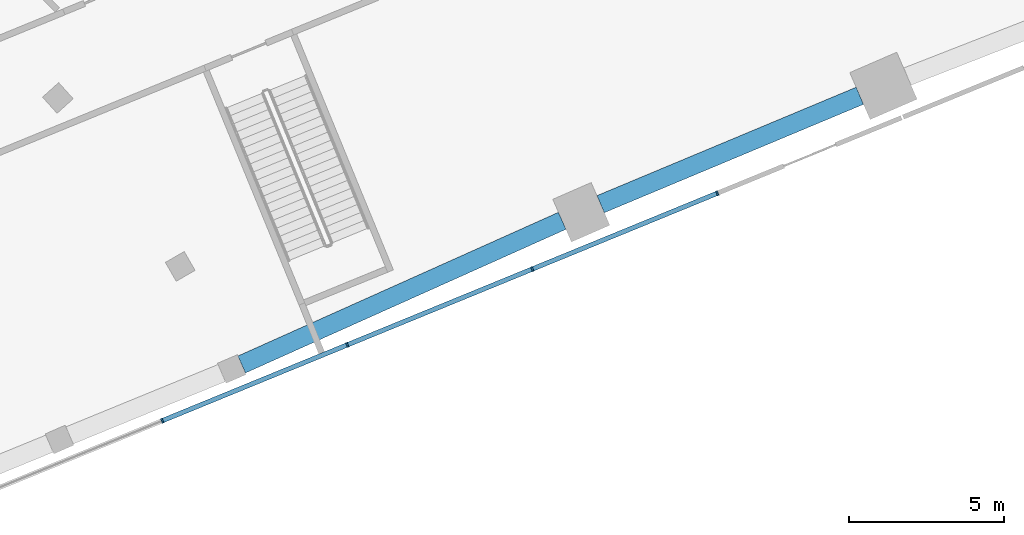
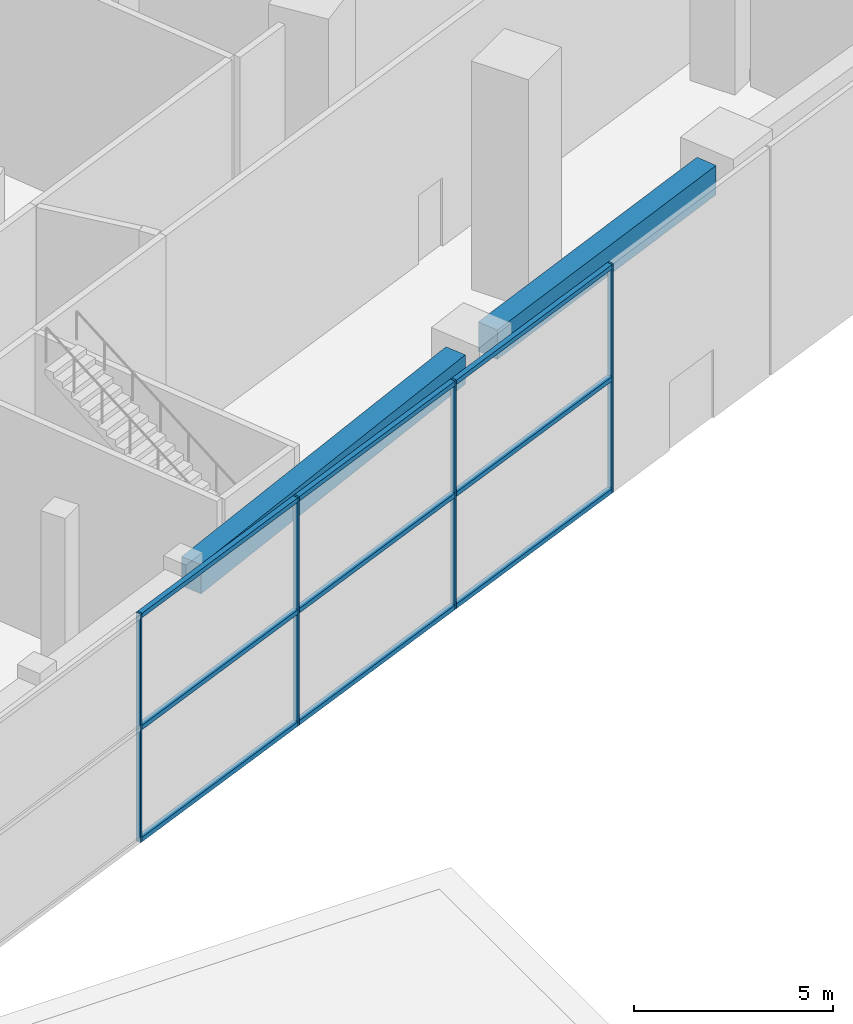
# One storey, part 14 of 60: 13 members, 2 beams, 1 element without a shape of its own.
"""IFC4 building model written with IfcOpenShell, lengths in metres."""

from ifc_helpers import new_model, si_unit, direction, frame, origin, origin_2d, place, context, subcontext, project, spatial, rectangle, extrude, material, layer, layer_set, material_profile, profile_set, type_object, element, aggregate, save


model = new_model("IFC4")

# Units and contexts
model_context = context("Model", 3, precision=1e-05, world=origin(), true_north=direction((0.0, 1.0)))
body_context = subcontext(model_context, "Body", "Model", "MODEL_VIEW")
ifc_project = project(units=[si_unit("LENGTHUNIT", "METRE"), si_unit("AREAUNIT", "SQUARE_METRE"), si_unit("VOLUMEUNIT", "CUBIC_METRE"), si_unit("PLANEANGLEUNIT", "RADIAN"), si_unit("MASSUNIT", "GRAM", prefix="KILO")], contexts=[model_context])

# Site, building, storey
site_placement = place(None, origin())
site = spatial("IfcSite", under=ifc_project, at=site_placement, CompositionType="ELEMENT")
building_placement = place(site_placement, origin())
building = spatial("IfcBuilding", under=site, at=building_placement, Name="Stone Belt Terrace Tower", CompositionType="ELEMENT")
storey_placement = place(building_placement, origin())
storey = spatial("IfcBuildingStorey", under=building, at=storey_placement, Name="L00", CompositionType="ELEMENT", Elevation=0.0)

# Curtain wall, members
ifc_material_1 = material(Name="Aluminium 6063-T6 anodised frame", Category="aluminium")
ifc_layer = layer(ifc_material_1, 0.14990234375)
ifc_layer_set = layer_set([ifc_layer], Name="CW-D podium shopfront")
curtain_wall_type = type_object("IfcCurtainWallType", Name="CW-D podium shopfront", PredefinedType="NOTDEFINED", material=ifc_layer_set)
curtain_wall_placement = place(storey_placement, origin())
curtain_wall = element("IfcCurtainWall", 1, at=curtain_wall_placement, inside=storey, type_object=curtain_wall_type, Name="CW-D end face L00", PredefinedType="NOTDEFINED")
ifc_material_profile_1 = material_profile(ifc_material_1, rectangle(XDim=0.14990234375, YDim=0.06005859375, at=origin_2d()), Name="Aluminium 6063-T6 60x150")
ifc_profile_set_1 = profile_set([ifc_material_profile_1], Name="Aluminium 6063-T6 anodised frame")
member_type_1 = type_object("IfcMemberType", Name="CW-D mullion 60 x 150", PredefinedType="MULLION", material=ifc_profile_set_1)
member_1_placement = place(storey_placement, frame((27.221923828125, 11.076171875, 0.0), z_axis=(0.0, 0.0, 1.0), x_axis=(-0.379243093825, 0.925297074342, 0.0)))
member_1 = element("IfcMember", 2, at=member_1_placement, type_object=member_type_1, Name="CW-D mullion 3", PredefinedType="MULLION", context=body_context, shape_type="SweptSolid", body=[
    extrude(rectangle(XDim=0.14990234375, YDim=0.06005859375, at=origin_2d()), origin(), (0.0, 0.0, 1.0), 7.0),
])
member_2_placement = place(storey_placement, frame((33.184814453125, 13.520263671875, 0.0), z_axis=(0.0, 0.0, 1.0), x_axis=(-0.379243093825, 0.925297074342, 0.0)))
member_2 = element("IfcMember", 3, at=member_2_placement, type_object=member_type_1, Name="CW-D mullion 4", PredefinedType="MULLION", context=body_context, shape_type="SweptSolid", body=[
    extrude(rectangle(XDim=0.14990234375, YDim=0.06005859375, at=origin_2d()), origin(), (0.0, 0.0, 1.0), 7.0),
])
member_3_placement = place(storey_placement, frame((39.14794921875, 15.964111328125, 0.0), z_axis=(0.0, 0.0, 1.0), x_axis=(-0.379243093825, 0.925297074342, 0.0)))
member_3 = element("IfcMember", 4, at=member_3_placement, type_object=member_type_1, Name="CW-D mullion 5", PredefinedType="MULLION", context=body_context, shape_type="SweptSolid", body=[
    extrude(rectangle(XDim=0.14990234375, YDim=0.06005859375, at=origin_2d()), origin(), (0.0, 0.0, 1.0), 7.0),
])
member_4_placement = place(storey_placement, frame((45.111083984375, 18.408203125, 0.0), z_axis=(0.0, 0.0, 1.0), x_axis=(-0.379243093825, 0.925297074342, 0.0)))
member_4 = element("IfcMember", 5, at=member_4_placement, type_object=member_type_1, Name="CW-D mullion 6", PredefinedType="MULLION", context=body_context, shape_type="SweptSolid", body=[
    extrude(rectangle(XDim=0.14990234375, YDim=0.06005859375, at=origin_2d()), origin(), (0.0, 0.0, 1.0), 7.0),
])
ifc_material_profile_2 = material_profile(ifc_material_1, rectangle(XDim=0.14990234375, YDim=0.139892578125, at=origin_2d()), Name="Aluminium 6063-T6 150x140")
ifc_profile_set_2 = profile_set([ifc_material_profile_2], Name="Aluminium 6063-T6 anodised frame")
member_type_2 = type_object("IfcMemberType", Name="CW-D transom 140 x 150", PredefinedType="USERDEFINED", material=ifc_profile_set_2)
member_5_placement = place(storey_placement, frame((27.249755859375, 11.08740234375, 0.070068359375), z_axis=(0.92528907992, 0.379262598448, 0.0), x_axis=(-0.379262598448, 0.92528907992, 0.0)))
member_5 = element("IfcMember", 6, at=member_5_placement, type_object=member_type_2, Name="CW-D transom 3.1", ObjectType="TRANSOM", PredefinedType="USERDEFINED", context=body_context, shape_type="SweptSolid", body=[
    extrude(rectangle(XDim=0.14990234375, YDim=0.139892578125, at=origin_2d()), origin(), (0.0, 0.0, 1.0), 6.384521484375),
])
member_6_placement = place(storey_placement, frame((27.249755859375, 11.08740234375, 3.5), z_axis=(0.92528907992, 0.379262598448, 0.0), x_axis=(-0.379262598448, 0.92528907992, 0.0)))
member_6 = element("IfcMember", 7, at=member_6_placement, type_object=member_type_2, Name="CW-D transom 3.2", ObjectType="TRANSOM", PredefinedType="USERDEFINED", context=body_context, shape_type="SweptSolid", body=[
    extrude(rectangle(XDim=0.14990234375, YDim=0.139892578125, at=origin_2d()), origin(), (0.0, 0.0, 1.0), 6.384521484375),
])
member_7_placement = place(storey_placement, frame((27.249755859375, 11.08740234375, 6.929931640625), z_axis=(0.92528907992, 0.379262598448, 0.0), x_axis=(-0.379262598448, 0.92528907992, 0.0)))
member_7 = element("IfcMember", 8, at=member_7_placement, type_object=member_type_2, Name="CW-D transom 3.3", ObjectType="TRANSOM", PredefinedType="USERDEFINED", context=body_context, shape_type="SweptSolid", body=[
    extrude(rectangle(XDim=0.14990234375, YDim=0.139892578125, at=origin_2d()), origin(), (0.0, 0.0, 1.0), 6.384521484375),
])
member_8_placement = place(storey_placement, frame((33.212646484375, 13.531494140625, 0.070068359375), z_axis=(0.92528907992, 0.379262598448, 0.0), x_axis=(-0.379262598448, 0.92528907992, 0.0)))
member_8 = element("IfcMember", 9, at=member_8_placement, type_object=member_type_2, Name="CW-D transom 4.1", ObjectType="TRANSOM", PredefinedType="USERDEFINED", context=body_context, shape_type="SweptSolid", body=[
    extrude(rectangle(XDim=0.14990234375, YDim=0.139892578125, at=origin_2d()), origin(), (0.0, 0.0, 1.0), 6.384521484375),
])
member_9_placement = place(storey_placement, frame((33.212646484375, 13.531494140625, 3.5), z_axis=(0.92528907992, 0.379262598448, 0.0), x_axis=(-0.379262598448, 0.92528907992, 0.0)))
member_9 = element("IfcMember", 10, at=member_9_placement, type_object=member_type_2, Name="CW-D transom 4.2", ObjectType="TRANSOM", PredefinedType="USERDEFINED", context=body_context, shape_type="SweptSolid", body=[
    extrude(rectangle(XDim=0.14990234375, YDim=0.139892578125, at=origin_2d()), origin(), (0.0, 0.0, 1.0), 6.384521484375),
])
member_10_placement = place(storey_placement, frame((33.212646484375, 13.531494140625, 6.929931640625), z_axis=(0.92528907992, 0.379262598448, 0.0), x_axis=(-0.379262598448, 0.92528907992, 0.0)))
member_10 = element("IfcMember", 11, at=member_10_placement, type_object=member_type_2, Name="CW-D transom 4.3", ObjectType="TRANSOM", PredefinedType="USERDEFINED", context=body_context, shape_type="SweptSolid", body=[
    extrude(rectangle(XDim=0.14990234375, YDim=0.139892578125, at=origin_2d()), origin(), (0.0, 0.0, 1.0), 6.384521484375),
])
member_11_placement = place(storey_placement, frame((39.17578125, 15.9755859375, 0.070068359375), z_axis=(0.925302498943, 0.37922985833, 0.0), x_axis=(-0.37922985833, 0.925302498943, 0.0)))
member_11 = element("IfcMember", 12, at=member_11_placement, type_object=member_type_2, Name="CW-D transom 5.1", ObjectType="TRANSOM", PredefinedType="USERDEFINED", context=body_context, shape_type="SweptSolid", body=[
    extrude(rectangle(XDim=0.14990234375, YDim=0.139892578125, at=origin_2d()), origin(), (0.0, 0.0, 1.0), 6.38427734375),
])
member_12_placement = place(storey_placement, frame((39.17578125, 15.9755859375, 3.5), z_axis=(0.925302498943, 0.37922985833, 0.0), x_axis=(-0.37922985833, 0.925302498943, 0.0)))
member_12 = element("IfcMember", 13, at=member_12_placement, type_object=member_type_2, Name="CW-D transom 5.2", ObjectType="TRANSOM", PredefinedType="USERDEFINED", context=body_context, shape_type="SweptSolid", body=[
    extrude(rectangle(XDim=0.14990234375, YDim=0.139892578125, at=origin_2d()), origin(), (0.0, 0.0, 1.0), 6.38427734375),
])
member_13_placement = place(storey_placement, frame((39.17578125, 15.9755859375, 6.929931640625), z_axis=(0.925302498943, 0.37922985833, 0.0), x_axis=(-0.37922985833, 0.925302498943, 0.0)))
member_13 = element("IfcMember", 14, at=member_13_placement, type_object=member_type_2, Name="CW-D transom 5.3", ObjectType="TRANSOM", PredefinedType="USERDEFINED", context=body_context, shape_type="SweptSolid", body=[
    extrude(rectangle(XDim=0.14990234375, YDim=0.139892578125, at=origin_2d()), origin(), (0.0, 0.0, 1.0), 6.38427734375),
])
aggregate(curtain_wall, [member_1, member_2, member_3, member_4, member_5, member_6, member_7, member_8, member_9, member_10, member_11, member_12, member_13])

# Beams
ifc_material_2 = material(Name="Concrete B60", Category="concrete")
ifc_material_profile_3 = material_profile(ifc_material_2, rectangle(XDim=0.60009765625, YDim=0.89990234375, at=origin_2d()), Name="RC 600x900")
ifc_profile_set_3 = profile_set([ifc_material_profile_3], Name="Concrete B60")
beam_type = type_object("IfcBeamType", Name="Edge beam RC 600x900 B60", PredefinedType="SPANDREL", material=ifc_profile_set_3)
beam_1_placement = place(storey_placement, frame((29.78076171875, 12.88818359375, 6.14990234375), z_axis=(0.91252459094, 0.409021846519, 0.0), x_axis=(-0.409021846519, 0.91252459094, 0.0)))
element("IfcBeam", 15, at=beam_1_placement, inside=storey, type_object=beam_type, Name="Edge beam L00 B O to P", PredefinedType="SPANDREL", context=body_context, shape_type="SweptSolid", body=[
    extrude(rectangle(XDim=0.60009765625, YDim=0.89990234375, at=origin_2d()), origin(), (0.0, 0.0, 1.0), 11.320556640625),
])
beam_2_placement = place(storey_placement, frame((41.35009765625, 18.05517578125, 6.14990234375), z_axis=(0.922576038767, 0.385815309044, 0.0), x_axis=(-0.385815309044, 0.922576038767, 0.0)))
element("IfcBeam", 16, at=beam_2_placement, inside=storey, type_object=beam_type, Name="Edge beam L00 B P to Q", PredefinedType="SPANDREL", context=body_context, shape_type="SweptSolid", body=[
    extrude(rectangle(XDim=0.60009765625, YDim=0.89990234375, at=origin_2d()), origin(), (0.0, 0.0, 1.0), 9.055908203125),
])

save(model, "model.ifc")
